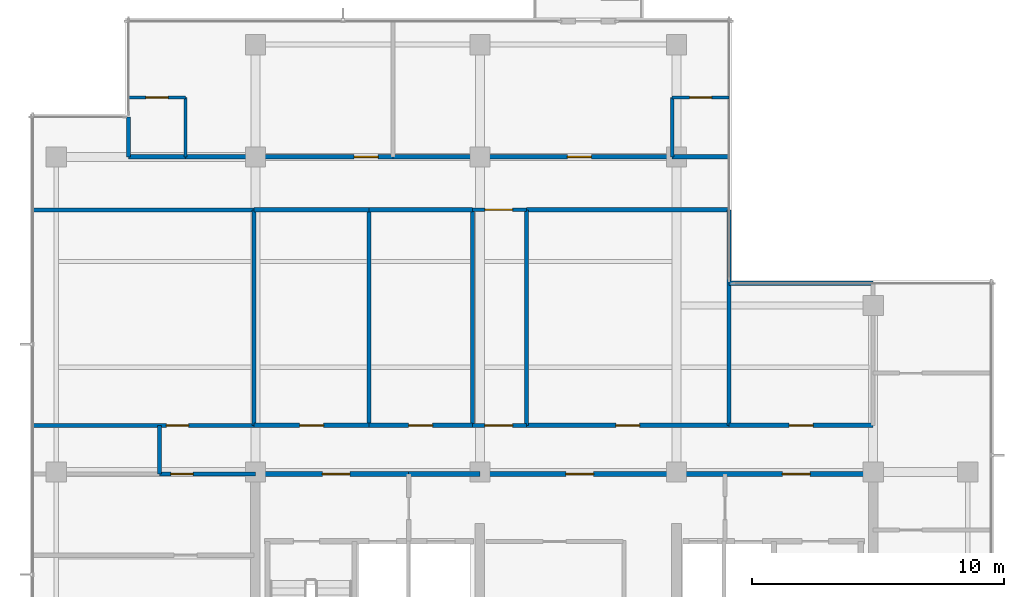
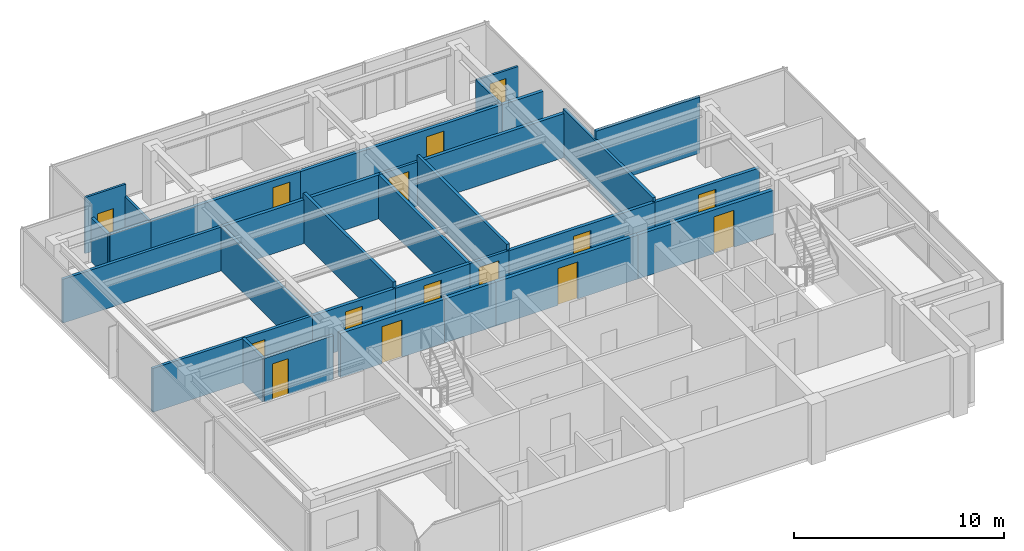
# One storey, part 7 of 11: 32 walls, 15 doors, 15 openings.
"""IFC4 building model written with IfcOpenShell, lengths in metres."""

import ifcopenshell
import ifcopenshell.guid

model = None  # the IFC model being written
_history = None  # IfcOwnerHistory: only IFC2X3 demands one
_inside = {}  # id of a spatial element -> (the spatial element, [elements in it])
_under = {}  # id of a project, library or spatial element -> (it, [spatial elements below it])
_declared = {}  # id of a project -> (the project, [libraries it declares])
_typed = {}  # id of a type object -> (the type object, [elements of that type])
_made_of = {}  # id of a material, layer set ... -> (it, [elements and type objects made of it])


def new_model(schema):
    """Start an empty IFC model of exactly this schema.

    Asked for "IFC4X3", IfcOpenShell would pick the latest addendum, in which some entities
    have other attributes; the version numbers below select the first issue.
    IFC2X3 requires an IfcOwnerHistory on every rooted entity: one is made here for all.
    """
    global model, _history
    if schema == "IFC4X3":
        model = ifcopenshell.file(schema_version=(4, 3, 0, 0))
    else:
        model = ifcopenshell.file(schema=schema)
    _inside.clear()
    _under.clear()
    _declared.clear()
    _typed.clear()
    _made_of.clear()
    _history = None
    if model.schema == "IFC2X3":
        org = make("IfcOrganization", Name="unknown")
        user = make(
            "IfcPersonAndOrganization",
            ThePerson=make("IfcPerson", FamilyName="unknown"),
            TheOrganization=org,
        )
        app = make(
            "IfcApplication",
            ApplicationDeveloper=org,
            Version="unknown",
            ApplicationFullName="unknown",
            ApplicationIdentifier="unknown",
        )
        _history = make(
            "IfcOwnerHistory",
            OwningUser=user,
            OwningApplication=app,
            ChangeAction="ADDED",
            CreationDate=0,
        )
    return model


def make(cls, **values):
    """One entity of the class cls with the attributes given. An attribute that is None is left unset."""
    return model.create_entity(
        cls, **{name: value for name, value in values.items() if value is not None}
    )


def rooted(cls, **values):
    """An entity with a GlobalId (a new one), such as an element, a storey or a relation."""
    return make(cls, GlobalId=ifcopenshell.guid.new(), OwnerHistory=_history, **values)


def si_unit(unit_type, name, prefix=None):
    """IfcSIUnit, for example si_unit("LENGTHUNIT", "METRE", prefix="MILLI")."""
    return make("IfcSIUnit", UnitType=unit_type, Prefix=prefix, Name=name)


def assignment(units):
    """IfcUnitAssignment: the units of a project."""
    return None if units is None else make("IfcUnitAssignment", Units=units)


def point(xyz):
    """IfcCartesianPoint."""
    return None if xyz is None else make("IfcCartesianPoint", Coordinates=xyz)


def direction(xyz):
    """IfcDirection."""
    return None if xyz is None else make("IfcDirection", DirectionRatios=xyz)


def frame(location, z_axis=None, x_axis=None):
    """IfcAxis2Placement3D, a coordinate frame: its origin and axes. An axis left out is left unset."""
    return make(
        "IfcAxis2Placement3D",
        Location=point(location),
        Axis=direction(z_axis),
        RefDirection=direction(x_axis),
    )


def frame_2d(location, x_axis=None):
    """IfcAxis2Placement2D, a coordinate frame in the plane: its origin and x axis."""
    return make(
        "IfcAxis2Placement2D", Location=point(location), RefDirection=direction(x_axis)
    )


def origin():
    """The frame at (0, 0, 0) with its axes left unset."""
    return frame((0.0, 0.0, 0.0))


def place(relative_to, where):
    """IfcLocalPlacement: puts the frame where relative to a parent placement (None: the world)."""
    return make(
        "IfcLocalPlacement", PlacementRelTo=relative_to, RelativePlacement=where
    )


def context(
    kind, dimensions, precision=None, world=None, true_north=None, identifier=None
):
    """IfcGeometricRepresentationContext, for example the 3D "Model" context."""
    return make(
        "IfcGeometricRepresentationContext",
        ContextIdentifier=identifier,
        ContextType=kind,
        CoordinateSpaceDimension=dimensions,
        Precision=precision,
        WorldCoordinateSystem=world,
        TrueNorth=true_north,
    )


def subcontext(parent, identifier, kind, view, scale=None):
    """IfcGeometricRepresentationSubContext, for example "Body" below "Model"."""
    return make(
        "IfcGeometricRepresentationSubContext",
        ContextIdentifier=identifier,
        ContextType=kind,
        ParentContext=parent,
        TargetScale=scale,
        TargetView=view,
    )


def project(units=None, contexts=None):
    """IfcProject with its units and contexts."""
    return rooted(
        "IfcProject",
        Name="project",
        RepresentationContexts=contexts,
        UnitsInContext=assignment(units),
    )


def spatial(cls, under=None, at=None, **own):
    """A site, building, storey or space (cls), placed at a placement, below another one or the project."""
    s = rooted(cls, ObjectPlacement=at, **own)
    if under is not None:
        _under.setdefault(under.id(), (under, []))[1].append(s)
    return s


def profile(cls, at=None, kind="AREA", **sizes):
    """A parametric profile (cls). Its sizes go by their IFC names, for example OverallWidth=200.0."""
    return make(cls, ProfileType=kind, Position=at, **sizes)


def rectangle(**sizes):
    """IfcRectangleProfileDef."""
    return profile("IfcRectangleProfileDef", **sizes)


def extrude(swept, where, along, depth):
    """IfcExtrudedAreaSolid: the profile swept, set in the frame where, extruded along a direction by depth."""
    return make(
        "IfcExtrudedAreaSolid",
        SweptArea=swept,
        Position=where,
        ExtrudedDirection=direction(along),
        Depth=depth,
    )


def shape(context_of_items, identifier, shape_type, items):
    """IfcShapeRepresentation: the items that make up one representation, for example the "Body"."""
    return make(
        "IfcShapeRepresentation",
        ContextOfItems=context_of_items,
        RepresentationIdentifier=identifier,
        RepresentationType=shape_type,
        Items=items,
    )


def material(Name=None, Category=None):
    """IfcMaterial."""
    return make("IfcMaterial", Name=Name, Category=Category)


def layer(
    of_material, thickness, ventilated=None, Name=None, Category=None, Priority=None
):
    """IfcMaterialLayer: one layer of a wall or slab, of a material (None: an air gap)."""
    return make(
        "IfcMaterialLayer",
        Material=of_material,
        LayerThickness=thickness,
        IsVentilated=ventilated,
        Name=Name,
        Category=Category,
        Priority=Priority,
    )


def layer_set(layers, Name=None):
    """IfcMaterialLayerSet."""
    return make("IfcMaterialLayerSet", MaterialLayers=layers, LayerSetName=Name)


def made_of(thing, what):
    """Note that an element or type object is made of a material, layer set ...; save() writes the relation."""
    if what is not None:
        _made_of.setdefault(what.id(), (what, []))[1].append(thing)
    return thing


def type_object(cls, material=None, **own):
    """A type object (cls), such as IfcWallType, which elements share."""
    return made_of(rooted(cls, **own), material)


def element(
    cls,
    number,
    at=None,
    inside=None,
    cuts=None,
    type_object=None,
    material=None,
    context=None,
    identifier="Body",
    shape_type=None,
    held_by="IfcProductDefinitionShape",
    body=None,
    shapes=None,
    **own,
):
    """One element of the class cls, such as IfcWall. Its Tag is "e" and its number.

    at: its placement. inside: the storey or other place that contains it. cuts: it is an
    opening in that element (IfcRelVoidsElement). A single representation is given by context,
    identifier, shape_type and body (its items); several are given by shapes. held_by: the class
    of the entity that holds the representations. save() writes the other relations.
    """
    e = rooted(cls, Tag="e%d" % number, ObjectPlacement=at, **own)
    if body is not None:
        shapes = [shape(context, identifier, shape_type, body)]
    if shapes is not None:
        e.Representation = make(held_by, Representations=shapes)
    if inside is not None:
        _inside.setdefault(inside.id(), (inside, []))[1].append(e)
    if cuts is not None:
        rooted(
            "IfcRelVoidsElement", RelatingBuildingElement=cuts, RelatedOpeningElement=e
        )
    if type_object is not None:
        _typed.setdefault(type_object.id(), (type_object, []))[1].append(e)
    return made_of(e, material)


def fill(opening, filler):
    """IfcRelFillsElement: the door or window that sits in an opening."""
    return rooted(
        "IfcRelFillsElement",
        RelatingOpeningElement=opening,
        RelatedBuildingElement=filler,
    )


def aggregate(whole, parts):
    """IfcRelAggregates: a whole, such as a stair, and the parts it consists of."""
    return rooted("IfcRelAggregates", RelatingObject=whole, RelatedObjects=parts)


def save(model, path):
    """Write the relations noted so far, then the file.

    IfcRelAggregates (storeys below a building ...), IfcRelContainedInSpatialStructure (elements
    in a storey), IfcRelDefinesByType, IfcRelAssociatesMaterial and IfcRelDeclares: one each for
    every whole, place, type object, material and project.
    """
    for whole, parts in _under.values():
        aggregate(whole, parts)
    for where, things in _inside.values():
        rooted(
            "IfcRelContainedInSpatialStructure",
            RelatedElements=things,
            RelatingStructure=where,
        )
    for kind, things in _typed.values():
        rooted("IfcRelDefinesByType", RelatedObjects=things, RelatingType=kind)
    for what, things in _made_of.values():
        rooted("IfcRelAssociatesMaterial", RelatedObjects=things, RelatingMaterial=what)
    for by, libraries in _declared.values():
        rooted("IfcRelDeclares", RelatingContext=by, RelatedDefinitions=libraries)
    model.write(path)


model = new_model("IFC4")

# Units and contexts
model_context = context("Model", 3, precision=1e-05, world=origin(), true_north=direction((0.0, 1.0)))
body_context = subcontext(model_context, "Body", "Model", "MODEL_VIEW")
ifc_project = project(units=[si_unit("LENGTHUNIT", "METRE"), si_unit("AREAUNIT", "SQUARE_METRE"), si_unit("VOLUMEUNIT", "CUBIC_METRE"), si_unit("PLANEANGLEUNIT", "RADIAN"), si_unit("MASSUNIT", "GRAM", prefix="KILO")], contexts=[model_context])

# Site, building, storey
site_placement = place(None, origin())
site = spatial("IfcSite", under=ifc_project, at=site_placement, CompositionType="ELEMENT")
building_placement = place(site_placement, origin())
building = spatial("IfcBuilding", under=site, at=building_placement, Name="Qalmaran Belvedere Hotel", CompositionType="ELEMENT")
storey_placement = place(building_placement, frame((0.0, 0.0, 277.39990234375)))
storey = spatial("IfcBuildingStorey", under=building, at=storey_placement, Name="L72", CompositionType="ELEMENT", Elevation=277.39990234375)

# Wall, opening, door
ifc_material_1 = material(Name="Moisture-Resistant Gypsum")
ifc_layer_1 = layer(ifc_material_1, 0.1201171875, Name="Moisture-Resistant Gypsum")
ifc_layer_set_1 = layer_set([ifc_layer_1], Name="Moisture-Resistant Gypsum")
wall_type_1 = type_object("IfcWallType", Name="WL-INT-120-BATH", PredefinedType="PARTITIONING", material=ifc_layer_set_1)
wall_1_placement = place(storey_placement, frame((15.27001953125, 35.35009765625, 0.0), z_axis=(0.0, 0.0, 1.0), x_axis=(1.0, 0.0, 0.0)))
wall_1 = element("IfcWall", 1, at=wall_1_placement, inside=storey, type_object=wall_type_1, Name="L72 Partition WL-L72-NBN00", PredefinedType="PARTITIONING", context=body_context, shape_type="SweptSolid", body=[
    extrude(rectangle(XDim=2.25, YDim=0.1201171875, at=frame_2d((1.125, 0.0))), origin(), (0.0, 0.0, 1.0), 3.260009765625),
])
opening_1_placement = place(wall_1_placement, frame((1.56494140625, 0.0, 0.0), z_axis=(0.0, 0.0, 1.0), x_axis=(-1.0, 0.0, 0.0)))
opening_1 = element("IfcOpeningElement", 2, at=opening_1_placement, cuts=wall_1, Name="Opening D-BATH", PredefinedType="OPENING", context=body_context, shape_type="SweptSolid", body=[
    extrude(rectangle(XDim=0.8798828125, YDim=2.080078125, at=frame_2d((0.43994140625, 1.0400390625))), frame((0.0, 0.070068359375, 0.0), z_axis=(0.0, -1.0, 0.0), x_axis=(1.0, 0.0, 0.0)), (0.0, 0.0, 1.0), 0.14013671875),
])
ifc_material_2 = material(Name="Engineered Oak Veneer")
door_type_1 = type_object("IfcDoorType", Name="DR-INT-BATH-880X2080", OperationType="NOTDEFINED", PredefinedType="DOOR", material=ifc_material_2)
door_1_placement = place(opening_1_placement, origin())
door_1 = element("IfcDoor", 3, at=door_1_placement, inside=storey, type_object=door_type_1, Name="L72 Ensuite Bathroom Door N01", OperationType="SINGLE_SWING_RIGHT", OverallHeight=2.080078125, OverallWidth=0.8798828125, PredefinedType="DOOR", context=body_context, shape_type="SweptSolid", body=[
    extrude(rectangle(XDim=0.8798828125, YDim=2.080078125, at=frame_2d((0.43994140625, 1.0400390625))), frame((0.0, 0.02490234375, 0.0), z_axis=(0.0, -1.0, 0.0), x_axis=(1.0, 0.0, 0.0)), (0.0, 0.0, 1.0), 0.050048828125),
])
fill(opening_1, door_1)

# Wall
wall_2_placement = place(storey_placement, frame((17.52001953125, 33.0, 0.0), z_axis=(0.0, 0.0, 1.0), x_axis=(0.0, 1.0, 0.0)))
element("IfcWall", 4, at=wall_2_placement, inside=storey, type_object=wall_type_1, Name="L72 Partition WL-L72-NBS00", PredefinedType="PARTITIONING", context=body_context, shape_type="SweptSolid", body=[
    extrude(rectangle(XDim=2.35009765625, YDim=0.1201171875, at=frame_2d((1.175048828125, 0.0))), origin(), (0.0, 0.0, 1.0), 2.550048828125),
])

# Wall, opening, door
wall_3_placement = place(storey_placement, frame((36.830078125, 35.35009765625, 0.0), z_axis=(0.0, 0.0, 1.0), x_axis=(1.0, 0.0, 0.0)))
wall_3 = element("IfcWall", 5, at=wall_3_placement, inside=storey, type_object=wall_type_1, Name="L72 Partition WL-L72-NBN01", PredefinedType="PARTITIONING", context=body_context, shape_type="SweptSolid", body=[
    extrude(rectangle(XDim=2.25, YDim=0.1201171875, at=frame_2d((1.125, 0.0))), origin(), (0.0, 0.0, 1.0), 2.550048828125),
])
opening_2_placement = place(wall_3_placement, frame((1.56494140625, 0.0, 0.0), z_axis=(0.0, 0.0, 1.0), x_axis=(-1.0, 0.0, 0.0)))
opening_2 = element("IfcOpeningElement", 6, at=opening_2_placement, cuts=wall_3, Name="Opening D-BATH", PredefinedType="OPENING", context=body_context, shape_type="SweptSolid", body=[
    extrude(rectangle(XDim=0.8798828125, YDim=2.080078125, at=frame_2d((0.43994140625, 1.0400390625))), frame((0.0, 0.070068359375, 0.0), z_axis=(0.0, -1.0, 0.0), x_axis=(1.0, 0.0, 0.0)), (0.0, 0.0, 1.0), 0.14013671875),
])
door_2_placement = place(opening_2_placement, origin())
door_2 = element("IfcDoor", 7, at=door_2_placement, inside=storey, type_object=door_type_1, Name="L72 Ensuite Bathroom Door N02", OperationType="SINGLE_SWING_RIGHT", OverallHeight=2.080078125, OverallWidth=0.8798828125, PredefinedType="DOOR", context=body_context, shape_type="SweptSolid", body=[
    extrude(rectangle(XDim=0.8798828125, YDim=2.080078125, at=frame_2d((0.43994140625, 1.0400390625))), frame((0.0, 0.02490234375, 0.0), z_axis=(0.0, -1.0, 0.0), x_axis=(1.0, 0.0, 0.0)), (0.0, 0.0, 1.0), 0.050048828125),
])
fill(opening_2, door_2)

# Wall
wall_4_placement = place(storey_placement, frame((36.830078125, 33.0, 0.0), z_axis=(0.0, 0.0, 1.0), x_axis=(0.0, 1.0, 0.0)))
element("IfcWall", 8, at=wall_4_placement, inside=storey, type_object=wall_type_1, Name="L72 Partition WL-L72-NBS01", PredefinedType="PARTITIONING", context=body_context, shape_type="SweptSolid", body=[
    extrude(rectangle(XDim=2.35009765625, YDim=0.1201171875, at=frame_2d((1.175048828125, 0.0))), origin(), (0.0, 0.0, 1.0), 2.550048828125),
])

# Wall, opening, door
ifc_material_3 = material(Name="Gypsum Stud Partition")
ifc_layer_2 = layer(ifc_material_3, 0.14990234375, Name="Gypsum Stud Partition")
ifc_layer_set_2 = layer_set([ifc_layer_2], Name="Gypsum Stud Partition")
wall_type_2 = type_object("IfcWallType", Name="WL-INT-150-EI60", PredefinedType="PARTITIONING", material=ifc_layer_set_2)
wall_5_placement = place(storey_placement, frame((28.89990234375, 22.35009765625, 0.0), z_axis=(0.0, 0.0, 1.0), x_axis=(1.0, 0.0, 0.0)))
wall_5 = element("IfcWall", 9, at=wall_5_placement, inside=storey, type_object=wall_type_2, Name="L72 Partition WL-L72-XCLS", PredefinedType="PARTITIONING", context=body_context, shape_type="SweptSolid", body=[
    extrude(rectangle(XDim=2.150146484375, YDim=0.14990234375, at=frame_2d((1.0751953125, 0.0))), origin(), (0.0, 0.0, 1.0), 2.550048828125),
])
opening_3_placement = place(wall_5_placement, frame((0.5, 0.0, 0.0)))
opening_3 = element("IfcOpeningElement", 10, at=opening_3_placement, cuts=wall_5, Name="Opening FD90", PredefinedType="OPENING", context=body_context, shape_type="SweptSolid", body=[
    extrude(rectangle(XDim=1.10009765625, YDim=2.14990234375, at=frame_2d((0.550048828125, 1.074951171875))), frame((0.0, 0.0849609375, 0.0), z_axis=(0.0, -1.0, 0.0), x_axis=(1.0, 0.0, 0.0)), (0.0, 0.0, 1.0), 0.169921875),
])
ifc_material_4 = material(Name="Steel S355JR", Category="steel")
door_type_2 = type_object("IfcDoorType", Name="DR-FD90-1100X2150", OperationType="NOTDEFINED", PredefinedType="DOOR", material=ifc_material_4)
door_3_placement = place(opening_3_placement, origin())
door_3 = element("IfcDoor", 11, at=door_3_placement, inside=storey, type_object=door_type_2, Name="L72 Sky Link South Door", OperationType="SINGLE_SWING_LEFT", OverallHeight=2.14990234375, OverallWidth=1.10009765625, PredefinedType="DOOR", context=body_context, shape_type="SweptSolid", body=[
    extrude(rectangle(XDim=1.10009765625, YDim=2.14990234375, at=frame_2d((0.550048828125, 1.074951171875))), frame((0.0, 0.02490234375, 0.0), z_axis=(0.0, -1.0, 0.0), x_axis=(1.0, 0.0, 0.0)), (0.0, 0.0, 1.0), 0.050048828125),
])
fill(opening_3, door_3)

wall_6_placement = place(storey_placement, frame((28.89990234375, 30.89990234375, 0.0), z_axis=(0.0, 0.0, 1.0), x_axis=(1.0, 0.0, 0.0)))
wall_6 = element("IfcWall", 12, at=wall_6_placement, inside=storey, type_object=wall_type_2, Name="L72 Partition WL-L72-XCLN", PredefinedType="PARTITIONING", context=body_context, shape_type="SweptSolid", body=[
    extrude(rectangle(XDim=2.150146484375, YDim=0.14990234375, at=frame_2d((1.0751953125, 0.0))), origin(), (0.0, 0.0, 1.0), 2.550048828125),
])
opening_4_placement = place(wall_6_placement, frame((0.5, 0.0, 0.0)))
opening_4 = element("IfcOpeningElement", 13, at=opening_4_placement, cuts=wall_6, Name="Opening FD90", PredefinedType="OPENING", context=body_context, shape_type="SweptSolid", body=[
    extrude(rectangle(XDim=1.10009765625, YDim=2.14990234375, at=frame_2d((0.550048828125, 1.074951171875))), frame((0.0, 0.0849609375, 0.0), z_axis=(0.0, -1.0, 0.0), x_axis=(1.0, 0.0, 0.0)), (0.0, 0.0, 1.0), 0.169921875),
])
door_4_placement = place(opening_4_placement, origin())
door_4 = element("IfcDoor", 14, at=door_4_placement, inside=storey, type_object=door_type_2, Name="L72 Sky Link North Door", OperationType="SINGLE_SWING_RIGHT", OverallHeight=2.14990234375, OverallWidth=1.10009765625, PredefinedType="DOOR", context=body_context, shape_type="SweptSolid", body=[
    extrude(rectangle(XDim=1.10009765625, YDim=2.14990234375, at=frame_2d((0.550048828125, 1.074951171875))), frame((0.0, 0.02490234375, 0.0), z_axis=(0.0, -1.0, 0.0), x_axis=(1.0, 0.0, 0.0)), (0.0, 0.0, 1.0), 0.050048828125),
])
fill(opening_4, door_4)

ifc_layer_3 = layer(ifc_material_3, 0.159912109375, Name="Gypsum Stud Partition")
ifc_layer_set_3 = layer_set([ifc_layer_3], Name="Gypsum Stud Partition")
wall_type_3 = type_object("IfcWallType", Name="WL-INT-160-EI60", PredefinedType="PARTITIONING", material=ifc_layer_set_3)
wall_7_placement = place(storey_placement, frame((16.5, 20.419921875, 0.0), z_axis=(0.0, 0.0, 1.0), x_axis=(1.0, 0.0, 0.0)))
wall_7 = element("IfcWall", 15, at=wall_7_placement, inside=storey, type_object=wall_type_3, Name="L72 Partition WL-L72-C4WS2", PredefinedType="PARTITIONING", context=body_context, shape_type="SweptSolid", body=[
    extrude(rectangle(XDim=3.800048828125, YDim=0.159912109375, at=frame_2d((1.89990234375, 0.0))), origin(), (0.0, 0.0, 1.0), 2.550048828125),
])
opening_5_placement = place(wall_7_placement, frame((1.329833984375, 0.0, 0.0), z_axis=(0.0, 0.0, 1.0), x_axis=(-1.0, 0.0, 0.0)))
opening_5 = element("IfcOpeningElement", 16, at=opening_5_placement, cuts=wall_7, Name="Opening FD60B", PredefinedType="OPENING", context=body_context, shape_type="SweptSolid", body=[
    extrude(rectangle(XDim=0.8798828125, YDim=2.080078125, at=frame_2d((0.43994140625, 1.0400390625))), frame((0.0, 0.08984375, 0.0), z_axis=(0.0, -1.0, 0.0), x_axis=(1.0, 0.0, 0.0)), (0.0, 0.0, 1.0), 0.179931640625),
])
door_type_3 = type_object("IfcDoorType", Name="DR-FD60B-880X2080", OperationType="NOTDEFINED", PredefinedType="DOOR", material=ifc_material_4)
door_5_placement = place(opening_5_placement, origin())
door_5 = element("IfcDoor", 17, at=door_5_placement, inside=storey, type_object=door_type_3, Name="L72 West Salon Door", OperationType="SINGLE_SWING_RIGHT", OverallHeight=2.080078125, OverallWidth=0.8798828125, PredefinedType="DOOR", context=body_context, shape_type="SweptSolid", body=[
    extrude(rectangle(XDim=0.8798828125, YDim=2.080078125, at=frame_2d((0.43994140625, 1.0400390625))), frame((0.0, 0.02490234375, 0.0), z_axis=(0.0, -1.0, 0.0), x_axis=(1.0, 0.0, 0.0)), (0.0, 0.0, 1.0), 0.050048828125),
])
fill(opening_5, door_5)

# Wall
wall_8_placement = place(storey_placement, frame((16.5, 20.419921875, 0.0), z_axis=(0.0, 0.0, 1.0), x_axis=(0.0, 1.0, 0.0)))
element("IfcWall", 18, at=wall_8_placement, inside=storey, type_object=wall_type_3, Name="L72 Partition WL-L72-C4WW", PredefinedType="PARTITIONING", context=body_context, shape_type="SweptSolid", body=[
    extrude(rectangle(XDim=1.93017578125, YDim=0.159912109375, at=frame_2d((0.965087890625, 0.0))), origin(), (0.0, 0.0, 1.0), 2.550048828125),
])

# Wall, opening, door
wall_9_placement = place(storey_placement, frame((11.469970703125, 22.35009765625, 0.0), z_axis=(0.0, 0.0, 1.0), x_axis=(1.0, 0.0, 0.0)))
wall_9 = element("IfcWall", 19, at=wall_9_placement, inside=storey, type_object=wall_type_3, Name="L72 Partition WL-L72-C4WN0", PredefinedType="PARTITIONING", context=body_context, shape_type="SweptSolid", body=[
    extrude(rectangle(XDim=8.780029296875, YDim=0.159912109375, at=frame_2d((4.39013671875, 0.0))), origin(), (0.0, 0.0, 1.0), 2.550048828125),
])
opening_6_placement = place(wall_9_placement, frame((5.300048828125, 0.0, 0.0)))
opening_6 = element("IfcOpeningElement", 20, at=opening_6_placement, cuts=wall_9, Name="Opening FD60B", PredefinedType="OPENING", context=body_context, shape_type="SweptSolid", body=[
    extrude(rectangle(XDim=0.8798828125, YDim=2.080078125, at=frame_2d((0.43994140625, 1.0400390625))), frame((0.0, 0.08984375, 0.0), z_axis=(0.0, -1.0, 0.0), x_axis=(1.0, 0.0, 0.0)), (0.0, 0.0, 1.0), 0.179931640625),
])
door_6_placement = place(opening_6_placement, origin())
door_6 = element("IfcDoor", 21, at=door_6_placement, inside=storey, type_object=door_type_3, Name="L72 NW Salon Door", OperationType="SINGLE_SWING_LEFT", OverallHeight=2.080078125, OverallWidth=0.8798828125, PredefinedType="DOOR", context=body_context, shape_type="SweptSolid", body=[
    extrude(rectangle(XDim=0.8798828125, YDim=2.080078125, at=frame_2d((0.43994140625, 1.0400390625))), frame((0.0, 0.02490234375, 0.0), z_axis=(0.0, -1.0, 0.0), x_axis=(1.0, 0.0, 0.0)), (0.0, 0.0, 1.0), 0.050048828125),
])
fill(opening_6, door_6)

# Walls
wall_10_placement = place(storey_placement, frame((11.469970703125, 30.89990234375, 0.0), z_axis=(0.0, 0.0, 1.0), x_axis=(1.0, 0.0, 0.0)))
element("IfcWall", 22, at=wall_10_placement, inside=storey, type_object=wall_type_3, Name="L72 Partition WL-L72-C4WN1", PredefinedType="PARTITIONING", context=body_context, shape_type="SweptSolid", body=[
    extrude(rectangle(XDim=8.780029296875, YDim=0.159912109375, at=frame_2d((4.39013671875, 0.0))), origin(), (0.0, 0.0, 1.0), 2.550048828125),
])
wall_11_placement = place(storey_placement, frame((20.25, 22.35009765625, 0.0), z_axis=(0.0, 0.0, 1.0), x_axis=(0.0, 1.0, 0.0)))
element("IfcWall", 23, at=wall_11_placement, inside=storey, type_object=wall_type_3, Name="L72 Partition WL-L72-C4MWVL", PredefinedType="PARTITIONING", context=body_context, shape_type="SweptSolid", body=[
    extrude(rectangle(XDim=8.5498046875, YDim=0.159912109375, at=frame_2d((4.27490234375, 0.0))), origin(), (0.0, 0.0, 1.0), 2.550048828125),
])
wall_12_placement = place(storey_placement, frame((24.800048828125, 22.35009765625, 0.0), z_axis=(0.0, 0.0, 1.0), x_axis=(0.0, 1.0, 0.0)))
element("IfcWall", 24, at=wall_12_placement, inside=storey, type_object=wall_type_3, Name="L72 Partition WL-L72-C4MWVR1", PredefinedType="PARTITIONING", context=body_context, shape_type="SweptSolid", body=[
    extrude(rectangle(XDim=8.5498046875, YDim=0.159912109375, at=frame_2d((4.27490234375, 0.0))), origin(), (0.0, 0.0, 1.0), 2.88720703125),
])
wall_13_placement = place(storey_placement, frame((28.89990234375, 22.35009765625, 0.0), z_axis=(0.0, 0.0, 1.0), x_axis=(0.0, 1.0, 0.0)))
element("IfcWall", 25, at=wall_13_placement, inside=storey, type_object=wall_type_3, Name="L72 Partition WL-L72-C4MWVR2", PredefinedType="PARTITIONING", context=body_context, shape_type="SweptSolid", body=[
    extrude(rectangle(XDim=8.5498046875, YDim=0.159912109375, at=frame_2d((4.27490234375, 0.0))), origin(), (0.0, 0.0, 1.0), 2.550048828125),
])
wall_14_placement = place(storey_placement, frame((31.050048828125, 22.35009765625, 0.0), z_axis=(0.0, 0.0, 1.0), x_axis=(0.0, 1.0, 0.0)))
element("IfcWall", 26, at=wall_14_placement, inside=storey, type_object=wall_type_3, Name="L72 Partition WL-L72-C4MEVL", PredefinedType="PARTITIONING", context=body_context, shape_type="SweptSolid", body=[
    extrude(rectangle(XDim=8.5498046875, YDim=0.159912109375, at=frame_2d((4.27490234375, 0.0))), origin(), (0.0, 0.0, 1.0), 2.88720703125),
])
wall_15_placement = place(storey_placement, frame((39.080078125, 22.35009765625, 0.0), z_axis=(0.0, 0.0, 1.0), x_axis=(0.0, 1.0, 0.0)))
element("IfcWall", 27, at=wall_15_placement, inside=storey, type_object=wall_type_3, Name="L72 Partition WL-L72-C4MEVR1", PredefinedType="PARTITIONING", context=body_context, shape_type="SweptSolid", body=[
    extrude(rectangle(XDim=8.5498046875, YDim=0.159912109375, at=frame_2d((4.27490234375, 0.0))), origin(), (0.0, 0.0, 1.0), 2.781982421875),
])
wall_16_placement = place(storey_placement, frame((15.27001953125, 33.0, 0.0), z_axis=(0.0, 0.0, 1.0), x_axis=(0.0, 1.0, 0.0)))
element("IfcWall", 28, at=wall_16_placement, inside=storey, type_object=wall_type_3, Name="L72 Partition WL-L72-NUL", PredefinedType="PARTITIONING", context=body_context, shape_type="SweptSolid", body=[
    extrude(rectangle(XDim=1.580078125, YDim=0.159912109375, at=frame_2d((0.7900390625, 0.0))), origin(), (0.0, 0.0, 1.0), 2.550048828125),
])

# Wall, opening, door
ifc_layer_4 = layer(ifc_material_3, 0.179931640625, Name="Gypsum Stud Partition")
ifc_layer_set_4 = layer_set([ifc_layer_4], Name="Gypsum Stud Partition")
wall_type_4 = type_object("IfcWallType", Name="WL-INT-180-EI60", PredefinedType="PARTITIONING", material=ifc_layer_set_4)
wall_17_placement = place(storey_placement, frame((20.25, 22.35009765625, 0.0), z_axis=(0.0, 0.0, 1.0), x_axis=(1.0, 0.0, 0.0)))
wall_17 = element("IfcWall", 29, at=wall_17_placement, inside=storey, type_object=wall_type_4, Name="L72 Partition WL-L72-C4MWD1", PredefinedType="PARTITIONING", context=body_context, shape_type="SweptSolid", body=[
    extrude(rectangle(XDim=4.550048828125, YDim=0.179931640625, at=frame_2d((2.27490234375, 0.0))), origin(), (0.0, 0.0, 1.0), 2.550048828125),
])
opening_7_placement = place(wall_17_placement, frame((1.800048828125, 0.0, 0.0)))
opening_7 = element("IfcOpeningElement", 30, at=opening_7_placement, cuts=wall_17, Name="Opening FD60", PredefinedType="OPENING", context=body_context, shape_type="SweptSolid", body=[
    extrude(rectangle(XDim=0.949951171875, YDim=2.14990234375, at=frame_2d((0.47509765625, 1.074951171875))), frame((0.0, 0.10009765625, 0.0), z_axis=(0.0, -1.0, 0.0), x_axis=(1.0, 0.0, 0.0)), (0.0, 0.0, 1.0), 0.199951171875),
])
door_type_4 = type_object("IfcDoorType", Name="DR-FD60-950X2150", OperationType="NOTDEFINED", PredefinedType="DOOR", material=ifc_material_2)
door_7_placement = place(opening_7_placement, origin())
door_7 = element("IfcDoor", 31, at=door_7_placement, inside=storey, type_object=door_type_4, Name="L72 Housekeeping and Linen Room Door", OperationType="SINGLE_SWING_RIGHT", OverallHeight=2.14990234375, OverallWidth=0.949951171875, PredefinedType="DOOR", context=body_context, shape_type="SweptSolid", body=[
    extrude(rectangle(XDim=0.949951171875, YDim=2.14990234375, at=frame_2d((0.47509765625, 1.074951171875))), frame((0.0, 0.02490234375, 0.0), z_axis=(0.0, -1.0, 0.0), x_axis=(1.0, 0.0, 0.0)), (0.0, 0.0, 1.0), 0.050048828125),
])
fill(opening_7, door_7)

# Wall
wall_18_placement = place(storey_placement, frame((20.25, 30.89990234375, 0.0), z_axis=(0.0, 0.0, 1.0), x_axis=(1.0, 0.0, 0.0)))
element("IfcWall", 32, at=wall_18_placement, inside=storey, type_object=wall_type_4, Name="L72 Partition WL-L72-C4MWO1", PredefinedType="PARTITIONING", context=body_context, shape_type="SweptSolid", body=[
    extrude(rectangle(XDim=4.550048828125, YDim=0.179931640625, at=frame_2d((2.27490234375, 0.0))), origin(), (0.0, 0.0, 1.0), 2.550048828125),
])

# Wall, opening, door
wall_19_placement = place(storey_placement, frame((24.800048828125, 22.35009765625, 0.0), z_axis=(0.0, 0.0, 1.0), x_axis=(1.0, 0.0, 0.0)))
wall_19 = element("IfcWall", 33, at=wall_19_placement, inside=storey, type_object=wall_type_4, Name="L72 Partition WL-L72-C4MWD2", PredefinedType="PARTITIONING", context=body_context, shape_type="SweptSolid", body=[
    extrude(rectangle(XDim=4.099853515625, YDim=0.179931640625, at=frame_2d((2.0498046875, 0.0))), origin(), (0.0, 0.0, 1.0), 2.550048828125),
])
opening_8_placement = place(wall_19_placement, frame((1.574951171875, 0.0, 0.0)))
opening_8 = element("IfcOpeningElement", 34, at=opening_8_placement, cuts=wall_19, Name="Opening FD60", PredefinedType="OPENING", context=body_context, shape_type="SweptSolid", body=[
    extrude(rectangle(XDim=0.949951171875, YDim=2.14990234375, at=frame_2d((0.47509765625, 1.074951171875))), frame((0.0, 0.10009765625, 0.0), z_axis=(0.0, -1.0, 0.0), x_axis=(1.0, 0.0, 0.0)), (0.0, 0.0, 1.0), 0.199951171875),
])
door_8_placement = place(opening_8_placement, origin())
door_8 = element("IfcDoor", 35, at=door_8_placement, inside=storey, type_object=door_type_4, Name="L72 Belvedere Club Lounge Door", OperationType="SINGLE_SWING_LEFT", OverallHeight=2.14990234375, OverallWidth=0.949951171875, PredefinedType="DOOR", context=body_context, shape_type="SweptSolid", body=[
    extrude(rectangle(XDim=0.949951171875, YDim=2.14990234375, at=frame_2d((0.47509765625, 1.074951171875))), frame((0.0, 0.02490234375, 0.0), z_axis=(0.0, -1.0, 0.0), x_axis=(1.0, 0.0, 0.0)), (0.0, 0.0, 1.0), 0.050048828125),
])
fill(opening_8, door_8)

# Wall
wall_20_placement = place(storey_placement, frame((24.800048828125, 30.89990234375, 0.0), z_axis=(0.0, 0.0, 1.0), x_axis=(1.0, 0.0, 0.0)))
element("IfcWall", 36, at=wall_20_placement, inside=storey, type_object=wall_type_4, Name="L72 Partition WL-L72-C4MWO2", PredefinedType="PARTITIONING", context=body_context, shape_type="SweptSolid", body=[
    extrude(rectangle(XDim=4.099853515625, YDim=0.179931640625, at=frame_2d((2.0498046875, 0.0))), origin(), (0.0, 0.0, 1.0), 2.550048828125),
])

# Wall, opening, door
wall_21_placement = place(storey_placement, frame((31.050048828125, 22.35009765625, 0.0), z_axis=(0.0, 0.0, 1.0), x_axis=(1.0, 0.0, 0.0)))
wall_21 = element("IfcWall", 37, at=wall_21_placement, inside=storey, type_object=wall_type_4, Name="L72 Partition WL-L72-C4MED1", PredefinedType="PARTITIONING", context=body_context, shape_type="SweptSolid", body=[
    extrude(rectangle(XDim=8.030029296875, YDim=0.179931640625, at=frame_2d((4.01513671875, 0.0))), origin(), (0.0, 0.0, 1.0), 2.550048828125),
])
opening_9_placement = place(wall_21_placement, frame((3.5400390625, 0.0, 0.0)))
opening_9 = element("IfcOpeningElement", 38, at=opening_9_placement, cuts=wall_21, Name="Opening FD60", PredefinedType="OPENING", context=body_context, shape_type="SweptSolid", body=[
    extrude(rectangle(XDim=0.949951171875, YDim=2.14990234375, at=frame_2d((0.47509765625, 1.074951171875))), frame((0.0, 0.10009765625, 0.0), z_axis=(0.0, -1.0, 0.0), x_axis=(1.0, 0.0, 0.0)), (0.0, 0.0, 1.0), 0.199951171875),
])
door_9_placement = place(opening_9_placement, origin())
door_9 = element("IfcDoor", 39, at=door_9_placement, inside=storey, type_object=door_type_4, Name="L72 Panoramic Tea Lounge Door", OperationType="SINGLE_SWING_RIGHT", OverallHeight=2.14990234375, OverallWidth=0.949951171875, PredefinedType="DOOR", context=body_context, shape_type="SweptSolid", body=[
    extrude(rectangle(XDim=0.949951171875, YDim=2.14990234375, at=frame_2d((0.47509765625, 1.074951171875))), frame((0.0, 0.02490234375, 0.0), z_axis=(0.0, -1.0, 0.0), x_axis=(1.0, 0.0, 0.0)), (0.0, 0.0, 1.0), 0.050048828125),
])
fill(opening_9, door_9)

# Wall
wall_22_placement = place(storey_placement, frame((31.050048828125, 30.89990234375, 0.0), z_axis=(0.0, 0.0, 1.0), x_axis=(1.0, 0.0, 0.0)))
element("IfcWall", 40, at=wall_22_placement, inside=storey, type_object=wall_type_4, Name="L72 Partition WL-L72-C4MEO1", PredefinedType="PARTITIONING", context=body_context, shape_type="SweptSolid", body=[
    extrude(rectangle(XDim=8.030029296875, YDim=0.179931640625, at=frame_2d((4.01513671875, 0.0))), origin(), (0.0, 0.0, 1.0), 2.550048828125),
])

# Wall, opening, door
wall_23_placement = place(storey_placement, frame((39.080078125, 22.35009765625, 0.0), z_axis=(0.0, 0.0, 1.0), x_axis=(1.0, 0.0, 0.0)))
wall_23 = element("IfcWall", 41, at=wall_23_placement, inside=storey, type_object=wall_type_4, Name="L72 Partition WL-L72-C4MFD1", PredefinedType="PARTITIONING", context=body_context, shape_type="SweptSolid", body=[
    extrude(rectangle(XDim=5.719970703125, YDim=0.179931640625, at=frame_2d((2.85986328125, 0.0))), origin(), (0.0, 0.0, 1.0), 2.550048828125),
])
opening_10_placement = place(wall_23_placement, frame((2.385009765625, 0.0, 0.0)))
opening_10 = element("IfcOpeningElement", 42, at=opening_10_placement, cuts=wall_23, Name="Opening FD60", PredefinedType="OPENING", context=body_context, shape_type="SweptSolid", body=[
    extrude(rectangle(XDim=0.949951171875, YDim=2.14990234375, at=frame_2d((0.47509765625, 1.074951171875))), frame((0.0, 0.10009765625, 0.0), z_axis=(0.0, -1.0, 0.0), x_axis=(1.0, 0.0, 0.0)), (0.0, 0.0, 1.0), 0.199951171875),
])
door_10_placement = place(opening_10_placement, origin())
door_10 = element("IfcDoor", 43, at=door_10_placement, inside=storey, type_object=door_type_4, Name="L72 Wellness Meditation Spa Door", OperationType="SINGLE_SWING_LEFT", OverallHeight=2.14990234375, OverallWidth=0.949951171875, PredefinedType="DOOR", context=body_context, shape_type="SweptSolid", body=[
    extrude(rectangle(XDim=0.949951171875, YDim=2.14990234375, at=frame_2d((0.47509765625, 1.074951171875))), frame((0.0, 0.02490234375, 0.0), z_axis=(0.0, -1.0, 0.0), x_axis=(1.0, 0.0, 0.0)), (0.0, 0.0, 1.0), 0.050048828125),
])
fill(opening_10, door_10)

# Walls
wall_24_placement = place(storey_placement, frame((39.080078125, 27.97998046875, 0.0), z_axis=(0.0, 0.0, 1.0), x_axis=(1.0, 0.0, 0.0)))
element("IfcWall", 44, at=wall_24_placement, inside=storey, type_object=wall_type_4, Name="L72 Partition WL-L72-C4MFO1", PredefinedType="PARTITIONING", context=body_context, shape_type="SweptSolid", body=[
    extrude(rectangle(XDim=5.719970703125, YDim=0.179931640625, at=frame_2d((2.85986328125, 0.0))), origin(), (0.0, 0.0, 1.0), 3.260009765625),
])
wall_25_placement = place(storey_placement, frame((15.27001953125, 33.0, 0.0), z_axis=(0.0, 0.0, 1.0), x_axis=(1.0, 0.0, 0.0)))
element("IfcWall", 45, at=wall_25_placement, inside=storey, type_object=wall_type_4, Name="L72 Partition WL-L72-NBC00", PredefinedType="PARTITIONING", context=body_context, shape_type="SweptSolid", body=[
    extrude(rectangle(XDim=2.25, YDim=0.179931640625, at=frame_2d((1.125, 0.0))), origin(), (0.0, 0.0, 1.0), 2.550048828125),
])

# Wall, opening, door
wall_26_placement = place(storey_placement, frame((17.52001953125, 33.0, 0.0), z_axis=(0.0, 0.0, 1.0), x_axis=(1.0, 0.0, 0.0)))
wall_26 = element("IfcWall", 46, at=wall_26_placement, inside=storey, type_object=wall_type_4, Name="L72 Partition WL-L72-NEC00", PredefinedType="PARTITIONING", context=body_context, shape_type="SweptSolid", body=[
    extrude(rectangle(XDim=8.226318359375, YDim=0.179931640625, at=frame_2d((4.11328125, 0.0))), origin(), (0.0, 0.0, 1.0), 2.550048828125),
])
opening_11_placement = place(wall_26_placement, frame((6.696533203125, 0.0, 0.0)))
opening_11 = element("IfcOpeningElement", 47, at=opening_11_placement, cuts=wall_26, Name="Opening FD60", PredefinedType="OPENING", context=body_context, shape_type="SweptSolid", body=[
    extrude(rectangle(XDim=0.949951171875, YDim=2.14990234375, at=frame_2d((0.47509765625, 1.074951171875))), frame((0.0, 0.10009765625, 0.0), z_axis=(0.0, -1.0, 0.0), x_axis=(1.0, 0.0, 0.0)), (0.0, 0.0, 1.0), 0.199951171875),
])
door_11_placement = place(opening_11_placement, origin())
door_11 = element("IfcDoor", 48, at=door_11_placement, inside=storey, type_object=door_type_4, Name="L72 Guest Entrance Door N01", OperationType="SINGLE_SWING_LEFT", OverallHeight=2.14990234375, OverallWidth=0.949951171875, PredefinedType="DOOR", context=body_context, shape_type="SweptSolid", body=[
    extrude(rectangle(XDim=0.949951171875, YDim=2.14990234375, at=frame_2d((0.47509765625, 1.074951171875))), frame((0.0, 0.02490234375, 0.0), z_axis=(0.0, -1.0, 0.0), x_axis=(1.0, 0.0, 0.0)), (0.0, 0.0, 1.0), 0.050048828125),
])
fill(opening_11, door_11)

# Wall
wall_27_placement = place(storey_placement, frame((36.830078125, 33.0, 0.0), z_axis=(0.0, 0.0, 1.0), x_axis=(1.0, 0.0, 0.0)))
element("IfcWall", 49, at=wall_27_placement, inside=storey, type_object=wall_type_4, Name="L72 Partition WL-L72-NBC01", PredefinedType="PARTITIONING", context=body_context, shape_type="SweptSolid", body=[
    extrude(rectangle(XDim=2.25, YDim=0.179931640625, at=frame_2d((1.125, 0.0))), origin(), (0.0, 0.0, 1.0), 2.550048828125),
])

# Wall, opening, door
wall_28_placement = place(storey_placement, frame((25.746337890625, 33.0, 0.0), z_axis=(0.0, 0.0, 1.0), x_axis=(1.0, 0.0, 0.0)))
wall_28 = element("IfcWall", 50, at=wall_28_placement, inside=storey, type_object=wall_type_4, Name="L72 Partition WL-L72-NEC01", PredefinedType="PARTITIONING", context=body_context, shape_type="SweptSolid", body=[
    extrude(rectangle(XDim=11.083740234375, YDim=0.179931640625, at=frame_2d((5.5419921875, 0.0))), origin(), (0.0, 0.0, 1.0), 2.550048828125),
])
opening_12_placement = place(wall_28_placement, frame((6.921630859375, 0.0, 0.0)))
opening_12 = element("IfcOpeningElement", 51, at=opening_12_placement, cuts=wall_28, Name="Opening FD60", PredefinedType="OPENING", context=body_context, shape_type="SweptSolid", body=[
    extrude(rectangle(XDim=0.949951171875, YDim=2.14990234375, at=frame_2d((0.47509765625, 1.074951171875))), frame((0.0, 0.10009765625, 0.0), z_axis=(0.0, -1.0, 0.0), x_axis=(1.0, 0.0, 0.0)), (0.0, 0.0, 1.0), 0.199951171875),
])
door_12_placement = place(opening_12_placement, origin())
door_12 = element("IfcDoor", 52, at=door_12_placement, inside=storey, type_object=door_type_4, Name="L72 Guest Entrance Door N02", OperationType="SINGLE_SWING_LEFT", OverallHeight=2.14990234375, OverallWidth=0.949951171875, PredefinedType="DOOR", context=body_context, shape_type="SweptSolid", body=[
    extrude(rectangle(XDim=0.949951171875, YDim=2.14990234375, at=frame_2d((0.47509765625, 1.074951171875))), frame((0.0, 0.02490234375, 0.0), z_axis=(0.0, -1.0, 0.0), x_axis=(1.0, 0.0, 0.0)), (0.0, 0.0, 1.0), 0.050048828125),
])
fill(opening_12, door_12)

ifc_material_5 = material(Name="Concrete C30/37 Blockwork", Category="masonry")
ifc_layer_5 = layer(ifc_material_5, 0.199951171875, Name="Concrete C30/37 Blockwork")
ifc_layer_set_5 = layer_set([ifc_layer_5], Name="Concrete C30/37 Blockwork")
wall_type_5 = type_object("IfcWallType", Name="WL-INT-200-EI120", PredefinedType="PARTITIONING", material=ifc_layer_set_5)
wall_29_placement = place(storey_placement, frame((20.64990234375, 20.419921875, 0.0), z_axis=(0.0, 0.0, 1.0), x_axis=(1.0, 0.0, 0.0)))
wall_29 = element("IfcWall", 53, at=wall_29_placement, inside=storey, type_object=wall_type_5, Name="L72 Partition WL-CN1A-L72", PredefinedType="PARTITIONING", context=body_context, shape_type="SweptSolid", body=[
    extrude(rectangle(XDim=5.72998046875, YDim=0.199951171875, at=frame_2d((2.864990234375, 0.0))), origin(), (0.0, 0.0, 1.0), 2.550048828125),
])
opening_13_placement = place(wall_29_placement, frame((2.300048828125, 0.0, 0.0)))
opening_13 = element("IfcOpeningElement", 54, at=opening_13_placement, cuts=wall_29, Name="Opening FD90", PredefinedType="OPENING", context=body_context, shape_type="SweptSolid", body=[
    extrude(rectangle(XDim=1.10009765625, YDim=2.14990234375, at=frame_2d((0.550048828125, 1.074951171875))), frame((0.0, 0.10986328125, 0.0), z_axis=(0.0, -1.0, 0.0), x_axis=(1.0, 0.0, 0.0)), (0.0, 0.0, 1.0), 0.219970703125),
])
door_13_placement = place(opening_13_placement, origin())
door_13 = element("IfcDoor", 55, at=door_13_placement, inside=storey, type_object=door_type_2, Name="L72 FF1 Lobby Corridor Door", OperationType="SINGLE_SWING_LEFT", OverallHeight=2.14990234375, OverallWidth=1.10009765625, PredefinedType="DOOR", context=body_context, shape_type="SweptSolid", body=[
    extrude(rectangle(XDim=1.10009765625, YDim=2.14990234375, at=frame_2d((0.550048828125, 1.074951171875))), frame((0.0, 0.02490234375, 0.0), z_axis=(0.0, -1.0, 0.0), x_axis=(1.0, 0.0, 0.0)), (0.0, 0.0, 1.0), 0.050048828125),
])
fill(opening_13, door_13)

# Wall
wall_30_placement = place(storey_placement, frame((26.3798828125, 20.419921875, 0.0), z_axis=(0.0, 0.0, 1.0), x_axis=(1.0, 0.0, 0.0)))
element("IfcWall", 56, at=wall_30_placement, inside=storey, type_object=wall_type_5, Name="L72 Partition WL-CN1B-L72", PredefinedType="PARTITIONING", context=body_context, shape_type="SweptSolid", body=[
    extrude(rectangle(XDim=2.820068359375, YDim=0.199951171875, at=frame_2d((1.41015625, 0.0))), origin(), (0.0, 0.0, 1.0), 2.550048828125),
])

# Wall, opening, door
wall_31_placement = place(storey_placement, frame((29.199951171875, 20.419921875, 0.0), z_axis=(0.0, 0.0, 1.0), x_axis=(1.0, 0.0, 0.0)))
wall_31 = element("IfcWall", 57, at=wall_31_placement, inside=storey, type_object=wall_type_5, Name="L72 Partition WL-CN2-L72", PredefinedType="PARTITIONING", context=body_context, shape_type="SweptSolid", body=[
    extrude(rectangle(XDim=7.800048828125, YDim=0.199951171875, at=frame_2d((3.89990234375, 0.0))), origin(), (0.0, 0.0, 1.0), 2.550048828125),
])
opening_14_placement = place(wall_31_placement, frame((3.4091796875, 0.0, 0.0)))
opening_14 = element("IfcOpeningElement", 58, at=opening_14_placement, cuts=wall_31, Name="Opening FD90", PredefinedType="OPENING", context=body_context, shape_type="SweptSolid", body=[
    extrude(rectangle(XDim=1.10009765625, YDim=2.14990234375, at=frame_2d((0.550048828125, 1.074951171875))), frame((0.0, 0.10986328125, 0.0), z_axis=(0.0, -1.0, 0.0), x_axis=(1.0, 0.0, 0.0)), (0.0, 0.0, 1.0), 0.219970703125),
])
door_14_placement = place(opening_14_placement, origin())
door_14 = element("IfcDoor", 59, at=door_14_placement, inside=storey, type_object=door_type_2, Name="L72 Central Lift Lobby Door", OperationType="SINGLE_SWING_RIGHT", OverallHeight=2.14990234375, OverallWidth=1.10009765625, PredefinedType="DOOR", context=body_context, shape_type="SweptSolid", body=[
    extrude(rectangle(XDim=1.10009765625, YDim=2.14990234375, at=frame_2d((0.550048828125, 1.074951171875))), frame((0.0, 0.02490234375, 0.0), z_axis=(0.0, -1.0, 0.0), x_axis=(1.0, 0.0, 0.0)), (0.0, 0.0, 1.0), 0.050048828125),
])
fill(opening_14, door_14)

wall_32_placement = place(storey_placement, frame((37.0, 20.419921875, 0.0), z_axis=(0.0, 0.0, 1.0), x_axis=(1.0, 0.0, 0.0)))
wall_32 = element("IfcWall", 60, at=wall_32_placement, inside=storey, type_object=wall_type_5, Name="L72 Partition WL-CN3-L72", PredefinedType="PARTITIONING", context=body_context, shape_type="SweptSolid", body=[
    extrude(rectangle(XDim=7.449951171875, YDim=0.199951171875, at=frame_2d((3.72509765625, 0.0))), origin(), (0.0, 0.0, 1.0), 2.550048828125),
])
opening_15_placement = place(wall_32_placement, frame((4.199951171875, 0.0, 0.0)))
opening_15 = element("IfcOpeningElement", 61, at=opening_15_placement, cuts=wall_32, Name="Opening FD90", PredefinedType="OPENING", context=body_context, shape_type="SweptSolid", body=[
    extrude(rectangle(XDim=1.10009765625, YDim=2.14990234375, at=frame_2d((0.550048828125, 1.074951171875))), frame((0.0, 0.10986328125, 0.0), z_axis=(0.0, -1.0, 0.0), x_axis=(1.0, 0.0, 0.0)), (0.0, 0.0, 1.0), 0.219970703125),
])
door_15_placement = place(opening_15_placement, origin())
door_15 = element("IfcDoor", 62, at=door_15_placement, inside=storey, type_object=door_type_2, Name="L72 FF2 Lobby Corridor Door", OperationType="SINGLE_SWING_LEFT", OverallHeight=2.14990234375, OverallWidth=1.10009765625, PredefinedType="DOOR", context=body_context, shape_type="SweptSolid", body=[
    extrude(rectangle(XDim=1.10009765625, YDim=2.14990234375, at=frame_2d((0.550048828125, 1.074951171875))), frame((0.0, 0.02490234375, 0.0), z_axis=(0.0, -1.0, 0.0), x_axis=(1.0, 0.0, 0.0)), (0.0, 0.0, 1.0), 0.050048828125),
])
fill(opening_15, door_15)

save(model, "model.ifc")
